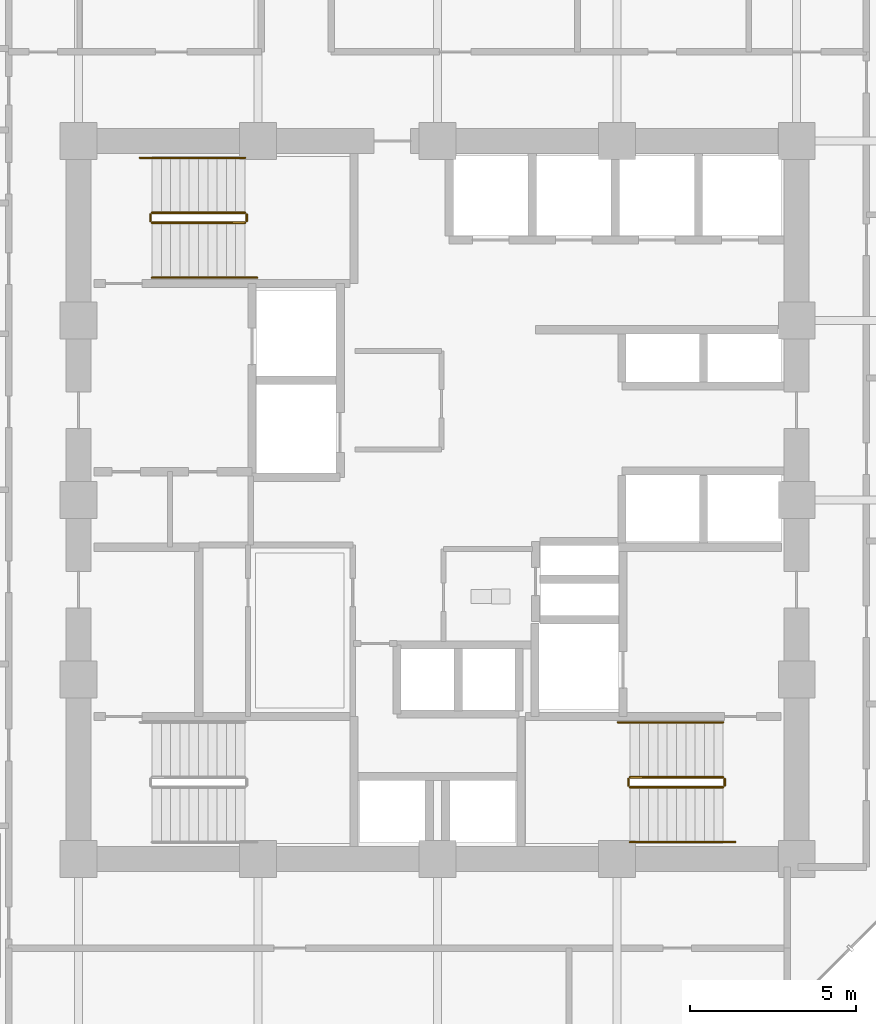
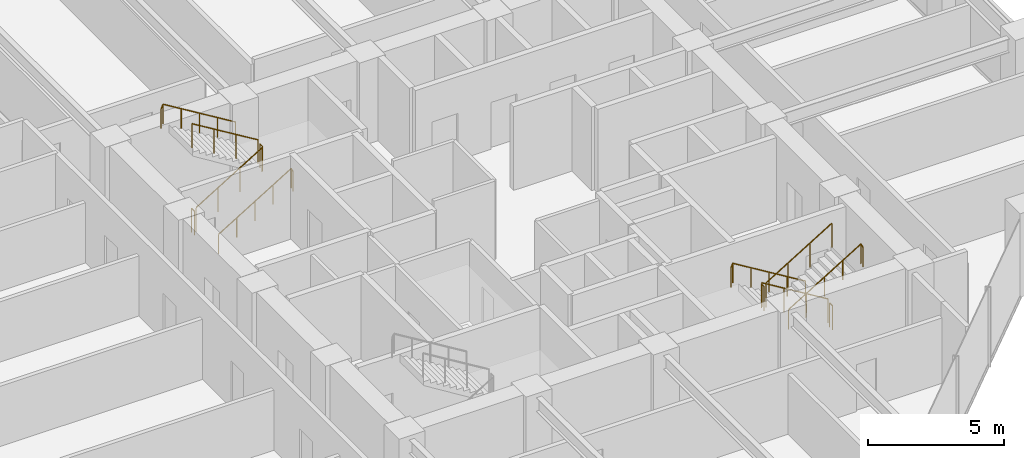
# One storey, part 24 of 25: 12 railings.
"""IFC4 building model written with IfcOpenShell, lengths in metres."""

from ifc_helpers import new_model, si_unit, direction, frame, origin, origin_2d, place, context, subcontext, project, spatial, circle, extrude, material, type_object, element, save


model = new_model("IFC4")

# Units and contexts
model_context = context("Model", 3, precision=1e-05, world=origin(), true_north=direction((0.0, 1.0)))
body_context = subcontext(model_context, "Body", "Model", "MODEL_VIEW")
ifc_project = project(units=[si_unit("LENGTHUNIT", "METRE"), si_unit("AREAUNIT", "SQUARE_METRE"), si_unit("VOLUMEUNIT", "CUBIC_METRE"), si_unit("PLANEANGLEUNIT", "RADIAN"), si_unit("MASSUNIT", "GRAM", prefix="KILO")], contexts=[model_context])

# Site, building, storey
site_placement = place(None, origin())
site = spatial("IfcSite", under=ifc_project, at=site_placement, CompositionType="ELEMENT")
building_placement = place(site_placement, origin())
building = spatial("IfcBuilding", under=site, at=building_placement, Name="Surkhivell Harbour Commons", CompositionType="ELEMENT")
storey_placement = place(building_placement, frame((0.0, 0.0, 109.5)))
storey = spatial("IfcBuildingStorey", under=building, at=storey_placement, Name="L28", CompositionType="ELEMENT", Elevation=109.5)

# Railings
ifc_material_1 = material(Name="Galvanised and painted steel S355 guard rail", Category="steel")
railing_type_1 = type_object("IfcRailingType", Name="RAL-ST-GRD1100", PredefinedType="GUARDRAIL", material=ifc_material_1)
railing_1_placement = place(storey_placement, frame((-8.590087890625, 8.340087890625, 0.17041015625)))
element("IfcRailing", 1, at=railing_1_placement, inside=storey, type_object=railing_type_1, Name="L28 ST1 stair guard 1", PredefinedType="GUARDRAIL", context=body_context, shape_type="SweptSolid", body=[
    extrude(circle(Radius=0.02392578125, at=origin_2d()), frame((0.0, 0.0, 1.076171875), z_axis=(0.854169791009, 0.0, 0.51999420009), x_axis=(0.0, 1.0, 0.0)), (0.0, 0.0, 1.0), 3.278076171875),
    extrude(circle(Radius=0.02099609375, at=origin_2d()), origin(), (0.0, 0.0, 1.0), 1.052001953125),
    extrude(circle(Radius=0.02099609375, at=origin_2d()), frame((0.933349609375, 0.0, 0.568115234375)), (0.0, 0.0, 1.0), 1.052001953125),
    extrude(circle(Radius=0.02099609375, at=origin_2d()), frame((1.86669921875, 0.0, 1.136474609375)), (0.0, 0.0, 1.0), 1.052001953125),
    extrude(circle(Radius=0.02099609375, at=origin_2d()), frame((2.800048828125, 0.0, 1.70458984375)), (0.0, 0.0, 1.0), 1.052001953125),
])
railing_2_placement = place(storey_placement, frame((-5.739990234375, 8.389892578125, 1.875)))
element("IfcRailing", 2, at=railing_2_placement, inside=storey, type_object=railing_type_1, Name="L28 ST1 stair guard 2", PredefinedType="GUARDRAIL", context=body_context, shape_type="SweptSolid", body=[
    extrude(circle(Radius=0.02392578125, at=origin_2d()), frame((0.0, 0.0, 1.076171875), z_axis=(0.0, 1.0, 0.0), x_axis=(-1.0, 0.0, 0.0)), (0.0, 0.0, 1.0), 0.2001953125),
    extrude(circle(Radius=0.02099609375, at=origin_2d()), origin(), (0.0, 0.0, 1.0), 1.052001953125),
    extrude(circle(Radius=0.02099609375, at=origin_2d()), frame((0.0, 0.2001953125, 0.0)), (0.0, 0.0, 1.0), 1.052001953125),
])
railing_3_placement = place(storey_placement, frame((-5.7900390625, 8.639892578125, 2.04541015625)))
element("IfcRailing", 3, at=railing_3_placement, inside=storey, type_object=railing_type_1, Name="L28 ST1 stair guard 3", PredefinedType="GUARDRAIL", context=body_context, shape_type="SweptSolid", body=[
    extrude(circle(Radius=0.02392578125, at=origin_2d()), frame((0.0, 0.0, 1.076171875), z_axis=(-0.854169791009, 0.0, 0.51999420009), x_axis=(0.0, -1.0, 0.0)), (0.0, 0.0, 1.0), 3.278076171875),
    extrude(circle(Radius=0.02099609375, at=origin_2d()), origin(), (0.0, 0.0, 1.0), 1.052001953125),
    extrude(circle(Radius=0.02099609375, at=origin_2d()), frame((-0.933349609375, 0.0, 0.568115234375)), (0.0, 0.0, 1.0), 1.052001953125),
    extrude(circle(Radius=0.02099609375, at=origin_2d()), frame((-1.86669921875, 0.0, 1.136474609375)), (0.0, 0.0, 1.0), 1.052001953125),
    extrude(circle(Radius=0.02099609375, at=origin_2d()), frame((-2.800048828125, 0.0, 1.70458984375)), (0.0, 0.0, 1.0), 1.052001953125),
])
railing_4_placement = place(storey_placement, frame((-8.639892578125, 8.389892578125, 0.0)))
element("IfcRailing", 4, at=railing_4_placement, inside=storey, type_object=railing_type_1, Name="L28 ST1 stair guard 4", PredefinedType="GUARDRAIL", context=body_context, shape_type="SweptSolid", body=[
    extrude(circle(Radius=0.02392578125, at=origin_2d()), frame((0.0, 0.0, 1.076171875), z_axis=(0.0, 1.0, 0.0), x_axis=(-1.0, 0.0, 0.0)), (0.0, 0.0, 1.0), 0.2001953125),
    extrude(circle(Radius=0.02099609375, at=origin_2d()), origin(), (0.0, 0.0, 1.0), 1.052001953125),
    extrude(circle(Radius=0.02099609375, at=origin_2d()), frame((0.0, 0.2001953125, 0.0)), (0.0, 0.0, 1.0), 1.052001953125),
])
railing_5_placement = place(storey_placement, frame((8.590087890625, -8.340087890625, 0.17041015625)))
element("IfcRailing", 5, at=railing_5_placement, inside=storey, type_object=railing_type_1, Name="L28 ST2 stair guard 1", PredefinedType="GUARDRAIL", context=body_context, shape_type="SweptSolid", body=[
    extrude(circle(Radius=0.02392578125, at=origin_2d()), frame((0.0, 0.0, 1.076171875), z_axis=(-0.854169791009, 0.0, 0.51999420009), x_axis=(0.0, -1.0, 0.0)), (0.0, 0.0, 1.0), 3.278076171875),
    extrude(circle(Radius=0.02099609375, at=origin_2d()), origin(), (0.0, 0.0, 1.0), 1.052001953125),
    extrude(circle(Radius=0.02099609375, at=origin_2d()), frame((-0.933349609375, 0.0, 0.568115234375)), (0.0, 0.0, 1.0), 1.052001953125),
    extrude(circle(Radius=0.02099609375, at=origin_2d()), frame((-1.86669921875, 0.0, 1.136474609375)), (0.0, 0.0, 1.0), 1.052001953125),
    extrude(circle(Radius=0.02099609375, at=origin_2d()), frame((-2.800048828125, 0.0, 1.70458984375)), (0.0, 0.0, 1.0), 1.052001953125),
])
railing_6_placement = place(storey_placement, frame((5.739990234375, -8.389892578125, 1.875)))
element("IfcRailing", 6, at=railing_6_placement, inside=storey, type_object=railing_type_1, Name="L28 ST2 stair guard 2", PredefinedType="GUARDRAIL", context=body_context, shape_type="SweptSolid", body=[
    extrude(circle(Radius=0.02392578125, at=origin_2d()), frame((0.0, 0.0, 1.076171875), z_axis=(0.0, -1.0, 0.0), x_axis=(1.0, 0.0, 0.0)), (0.0, 0.0, 1.0), 0.2001953125),
    extrude(circle(Radius=0.02099609375, at=origin_2d()), origin(), (0.0, 0.0, 1.0), 1.052001953125),
    extrude(circle(Radius=0.02099609375, at=origin_2d()), frame((0.0, -0.2001953125, 0.0)), (0.0, 0.0, 1.0), 1.052001953125),
])
railing_7_placement = place(storey_placement, frame((5.7900390625, -8.639892578125, 2.04541015625)))
element("IfcRailing", 7, at=railing_7_placement, inside=storey, type_object=railing_type_1, Name="L28 ST2 stair guard 3", PredefinedType="GUARDRAIL", context=body_context, shape_type="SweptSolid", body=[
    extrude(circle(Radius=0.02392578125, at=origin_2d()), frame((0.0, 0.0, 1.076171875), z_axis=(0.854169791009, 0.0, 0.51999420009), x_axis=(0.0, 1.0, 0.0)), (0.0, 0.0, 1.0), 3.278076171875),
    extrude(circle(Radius=0.02099609375, at=origin_2d()), origin(), (0.0, 0.0, 1.0), 1.052001953125),
    extrude(circle(Radius=0.02099609375, at=origin_2d()), frame((0.933349609375, 0.0, 0.568115234375)), (0.0, 0.0, 1.0), 1.052001953125),
    extrude(circle(Radius=0.02099609375, at=origin_2d()), frame((1.86669921875, 0.0, 1.136474609375)), (0.0, 0.0, 1.0), 1.052001953125),
    extrude(circle(Radius=0.02099609375, at=origin_2d()), frame((2.800048828125, 0.0, 1.70458984375)), (0.0, 0.0, 1.0), 1.052001953125),
])
railing_8_placement = place(storey_placement, frame((8.639892578125, -8.389892578125, 0.0)))
element("IfcRailing", 8, at=railing_8_placement, inside=storey, type_object=railing_type_1, Name="L28 ST2 stair guard 4", PredefinedType="GUARDRAIL", context=body_context, shape_type="SweptSolid", body=[
    extrude(circle(Radius=0.02392578125, at=origin_2d()), frame((0.0, 0.0, 1.076171875), z_axis=(0.0, -1.0, 0.0), x_axis=(1.0, 0.0, 0.0)), (0.0, 0.0, 1.0), 0.2001953125),
    extrude(circle(Radius=0.02099609375, at=origin_2d()), origin(), (0.0, 0.0, 1.0), 1.052001953125),
    extrude(circle(Radius=0.02099609375, at=origin_2d()), frame((0.0, -0.2001953125, 0.0)), (0.0, 0.0, 1.0), 1.052001953125),
])
ifc_material_2 = material(Name="Brushed stainless steel S355 handrail", Category="steel")
railing_type_2 = type_object("IfcRailingType", Name="RAL-ST-HND900", PredefinedType="HANDRAIL", material=ifc_material_2)
railing_9_placement = place(storey_placement, frame((-8.590087890625, 6.68994140625, 0.17041015625)))
element("IfcRailing", 9, at=railing_9_placement, inside=storey, type_object=railing_type_2, Name="L28 ST1 stair handrail 1", PredefinedType="HANDRAIL", context=body_context, shape_type="SweptSolid", body=[
    extrude(circle(Radius=0.02392578125, at=origin_2d()), frame((0.0, 0.0, 0.8759765625), z_axis=(0.854177636135, 0.0, 0.519981313056), x_axis=(0.0, 1.0, 0.0)), (0.0, 0.0, 1.0), 3.60595703125),
    extrude(circle(Radius=0.02392578125, at=origin_2d()), frame((3.080078125, 0.0, 2.7509765625), z_axis=(0.425297416671, 0.0, -0.905053648892), x_axis=(0.0, 1.0, 0.0)), (0.0, 0.0, 1.0), 0.188232421875),
    extrude(circle(Radius=0.02099609375, at=origin_2d()), origin(), (0.0, 0.0, 1.0), 0.851806640625),
    extrude(circle(Radius=0.02099609375, at=origin_2d()), frame((0.77001953125, 0.0, 0.46875)), (0.0, 0.0, 1.0), 0.851806640625),
    extrude(circle(Radius=0.02099609375, at=origin_2d()), frame((1.5400390625, 0.0, 0.9375)), (0.0, 0.0, 1.0), 0.851806640625),
    extrude(circle(Radius=0.02099609375, at=origin_2d()), frame((2.31005859375, 0.0, 1.40625)), (0.0, 0.0, 1.0), 0.851806640625),
    extrude(circle(Radius=0.02099609375, at=origin_2d()), frame((3.080078125, 0.0, 1.875)), (0.0, 0.0, 1.0), 0.851806640625),
    extrude(circle(Radius=0.02099609375, at=origin_2d()), frame((3.16015625, 0.0, 1.70458984375)), (0.0, 0.0, 1.0), 0.851806640625),
])
railing_10_placement = place(storey_placement, frame((-5.7900390625, 10.2900390625, 2.04541015625)))
element("IfcRailing", 10, at=railing_10_placement, inside=storey, type_object=railing_type_2, Name="L28 ST1 stair handrail 2", PredefinedType="HANDRAIL", context=body_context, shape_type="SweptSolid", body=[
    extrude(circle(Radius=0.02392578125, at=origin_2d()), frame((0.0, 0.0, 0.8759765625), z_axis=(-0.854177636135, 0.0, 0.519981313056), x_axis=(0.0, -1.0, 0.0)), (0.0, 0.0, 1.0), 3.60595703125),
    extrude(circle(Radius=0.02392578125, at=origin_2d()), frame((-3.080078125, 0.0, 2.7509765625), z_axis=(-0.424234432967, 0.0, -0.905552398199), x_axis=(0.0, -1.0, 0.0)), (0.0, 0.0, 1.0), 0.188232421875),
    extrude(circle(Radius=0.02099609375, at=origin_2d()), origin(), (0.0, 0.0, 1.0), 0.851806640625),
    extrude(circle(Radius=0.02099609375, at=origin_2d()), frame((-0.77001953125, 0.0, 0.46875)), (0.0, 0.0, 1.0), 0.851806640625),
    extrude(circle(Radius=0.02099609375, at=origin_2d()), frame((-1.5400390625, 0.0, 0.9375)), (0.0, 0.0, 1.0), 0.851806640625),
    extrude(circle(Radius=0.02099609375, at=origin_2d()), frame((-2.31005859375, 0.0, 1.40625)), (0.0, 0.0, 1.0), 0.851806640625),
    extrude(circle(Radius=0.02099609375, at=origin_2d()), frame((-3.080078125, 0.0, 1.875)), (0.0, 0.0, 1.0), 0.851806640625),
    extrude(circle(Radius=0.02099609375, at=origin_2d()), frame((-3.159912109375, 0.0, 1.70458984375)), (0.0, 0.0, 1.0), 0.851806640625),
])
railing_11_placement = place(storey_placement, frame((8.590087890625, -6.68994140625, 0.17041015625)))
element("IfcRailing", 11, at=railing_11_placement, inside=storey, type_object=railing_type_2, Name="L28 ST2 stair handrail 1", PredefinedType="HANDRAIL", context=body_context, shape_type="SweptSolid", body=[
    extrude(circle(Radius=0.02392578125, at=origin_2d()), frame((0.0, 0.0, 0.8759765625), z_axis=(-0.854177636135, 0.0, 0.519981313056), x_axis=(0.0, -1.0, 0.0)), (0.0, 0.0, 1.0), 3.60595703125),
    extrude(circle(Radius=0.02392578125, at=origin_2d()), frame((-3.080078125, 0.0, 2.7509765625), z_axis=(-0.425297416671, 0.0, -0.905053648892), x_axis=(0.0, -1.0, 0.0)), (0.0, 0.0, 1.0), 0.188232421875),
    extrude(circle(Radius=0.02099609375, at=origin_2d()), origin(), (0.0, 0.0, 1.0), 0.851806640625),
    extrude(circle(Radius=0.02099609375, at=origin_2d()), frame((-0.77001953125, 0.0, 0.46875)), (0.0, 0.0, 1.0), 0.851806640625),
    extrude(circle(Radius=0.02099609375, at=origin_2d()), frame((-1.5400390625, 0.0, 0.9375)), (0.0, 0.0, 1.0), 0.851806640625),
    extrude(circle(Radius=0.02099609375, at=origin_2d()), frame((-2.31005859375, 0.0, 1.40625)), (0.0, 0.0, 1.0), 0.851806640625),
    extrude(circle(Radius=0.02099609375, at=origin_2d()), frame((-3.080078125, 0.0, 1.875)), (0.0, 0.0, 1.0), 0.851806640625),
    extrude(circle(Radius=0.02099609375, at=origin_2d()), frame((-3.16015625, 0.0, 1.70458984375)), (0.0, 0.0, 1.0), 0.851806640625),
])
railing_12_placement = place(storey_placement, frame((5.7900390625, -10.2900390625, 2.04541015625)))
element("IfcRailing", 12, at=railing_12_placement, inside=storey, type_object=railing_type_2, Name="L28 ST2 stair handrail 2", PredefinedType="HANDRAIL", context=body_context, shape_type="SweptSolid", body=[
    extrude(circle(Radius=0.02392578125, at=origin_2d()), frame((0.0, 0.0, 0.8759765625), z_axis=(0.854177636135, 0.0, 0.519981313056), x_axis=(0.0, 1.0, 0.0)), (0.0, 0.0, 1.0), 3.60595703125),
    extrude(circle(Radius=0.02392578125, at=origin_2d()), frame((3.080078125, 0.0, 2.7509765625), z_axis=(0.424234432967, 0.0, -0.905552398199), x_axis=(0.0, 1.0, 0.0)), (0.0, 0.0, 1.0), 0.188232421875),
    extrude(circle(Radius=0.02099609375, at=origin_2d()), origin(), (0.0, 0.0, 1.0), 0.851806640625),
    extrude(circle(Radius=0.02099609375, at=origin_2d()), frame((0.77001953125, 0.0, 0.46875)), (0.0, 0.0, 1.0), 0.851806640625),
    extrude(circle(Radius=0.02099609375, at=origin_2d()), frame((1.5400390625, 0.0, 0.9375)), (0.0, 0.0, 1.0), 0.851806640625),
    extrude(circle(Radius=0.02099609375, at=origin_2d()), frame((2.31005859375, 0.0, 1.40625)), (0.0, 0.0, 1.0), 0.851806640625),
    extrude(circle(Radius=0.02099609375, at=origin_2d()), frame((3.080078125, 0.0, 1.875)), (0.0, 0.0, 1.0), 0.851806640625),
    extrude(circle(Radius=0.02099609375, at=origin_2d()), frame((3.159912109375, 0.0, 1.70458984375)), (0.0, 0.0, 1.0), 0.851806640625),
])

save(model, "model.ifc")
